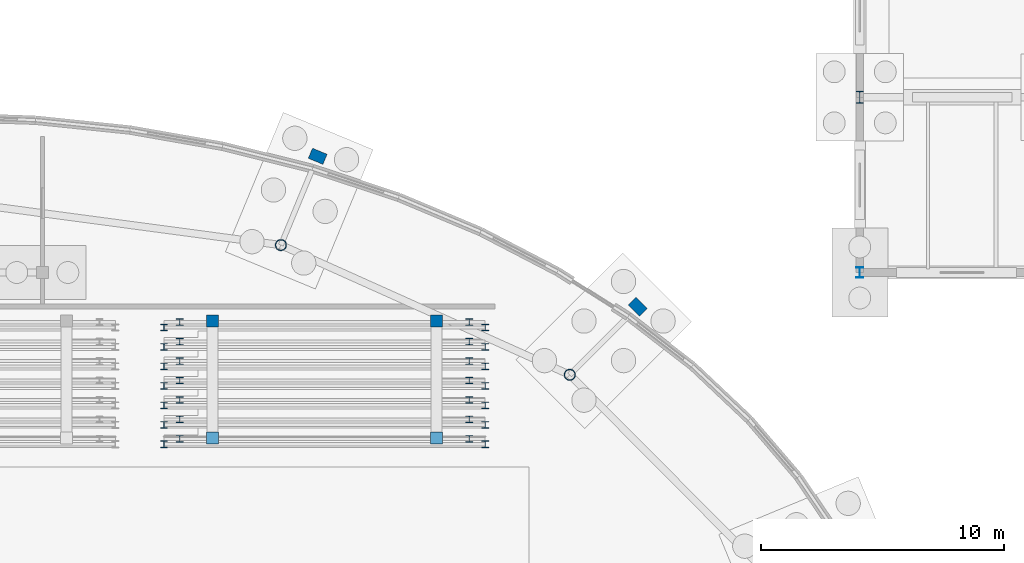
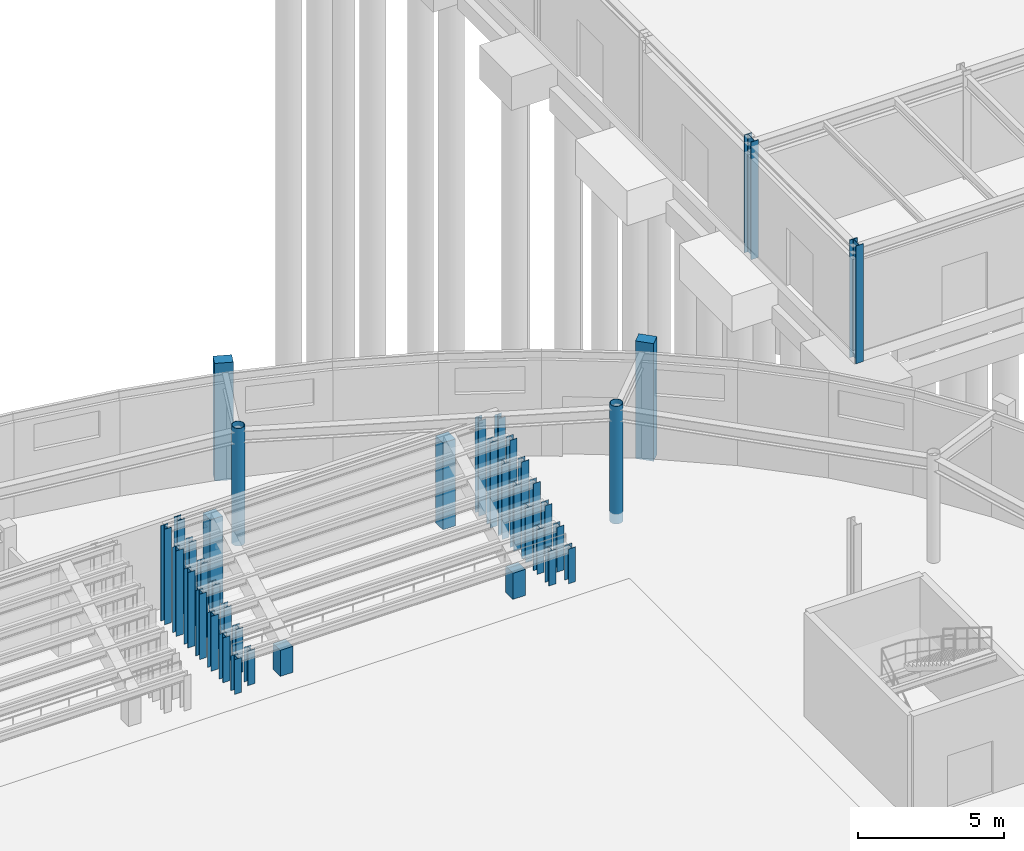
# One storey, part 23 of 93: 38 columns.
"""IFC4 building model written with IfcOpenShell, lengths in metres."""

from ifc_helpers import new_model, si_unit, derived_unit, direction, frame, origin, origin_2d, place, context, subcontext, project, spatial, rectangle, hollow_circle, i_section, extrude, material, material_profile, profile_set, type_object, element, save


model = new_model("IFC4")

# Units and contexts
model_context = context("Model", 3, precision=1e-05, world=origin(), true_north=direction((0.0, 1.0)))
body_context = subcontext(model_context, "Body", "Model", "MODEL_VIEW")
ifc_project = project(units=[si_unit("LENGTHUNIT", "METRE"), si_unit("AREAUNIT", "SQUARE_METRE"), si_unit("VOLUMEUNIT", "CUBIC_METRE"), si_unit("PLANEANGLEUNIT", "RADIAN"), si_unit("MASSUNIT", "GRAM", prefix="KILO"), derived_unit("THERMALTRANSMITTANCEUNIT", [(si_unit("MASSUNIT", "GRAM", prefix="KILO"), 1), (si_unit("TIMEUNIT", "SECOND"), -3), (si_unit("THERMODYNAMICTEMPERATUREUNIT", "KELVIN"), -1)])], contexts=[model_context])

# Site, building, storey
site_placement = place(None, origin())
site = spatial("IfcSite", under=ifc_project, at=site_placement, CompositionType="ELEMENT")
building_placement = place(site_placement, origin())
building = spatial("IfcBuilding", under=site, at=building_placement, Name="Kharveza Railside Sports Centre", CompositionType="ELEMENT")
storey_placement = place(building_placement, origin())
storey = spatial("IfcBuildingStorey", under=building, at=storey_placement, Name="L00", CompositionType="ELEMENT", Elevation=0.0)

# Columns
ifc_material_1 = material(Name="Concrete C35/45", Category="concrete")
ifc_material_profile_1 = material_profile(ifc_material_1, rectangle(XDim=0.5, YDim=0.5, at=origin_2d()), Name="RC 500x500")
ifc_profile_set_1 = profile_set([ifc_material_profile_1], Name="Concrete C35/45")
column_type_1 = type_object("IfcColumnType", Name="COL-RC03", PredefinedType="COLUMN", material=ifc_profile_set_1)
column_1_placement = place(storey_placement, frame((65.800048828125, 70.0, 0.0), z_axis=(0.0, 0.0, 1.0), x_axis=(1.0, 0.0, 0.0)))
element("IfcColumn", 1, at=column_1_placement, inside=storey, type_object=column_type_1, Name="COL-RAK-NR-05", PredefinedType="COLUMN", context=body_context, shape_type="SweptSolid", body=[
    extrude(rectangle(XDim=0.5, YDim=0.5, at=origin_2d()), origin(), (0.0, 0.0, 1.0), 3.6298828125),
])
column_2_placement = place(storey_placement, frame((65.800048828125, 65.199951171875, 0.0), z_axis=(0.0, 0.0, 1.0), x_axis=(1.0, 0.0, 0.0)))
element("IfcColumn", 2, at=column_2_placement, inside=storey, type_object=column_type_1, Name="COL-RAK-NF-05", PredefinedType="COLUMN", context=body_context, shape_type="SweptSolid", body=[
    extrude(rectangle(XDim=0.5, YDim=0.5, at=origin_2d()), origin(), (0.0, 0.0, 1.0), 1.090087890625),
])
column_3_placement = place(storey_placement, frame((75.0, 70.0, 0.0), z_axis=(0.0, 0.0, 1.0), x_axis=(1.0, 0.0, 0.0)))
element("IfcColumn", 3, at=column_3_placement, inside=storey, type_object=column_type_1, Name="COL-RAK-NR-06", PredefinedType="COLUMN", context=body_context, shape_type="SweptSolid", body=[
    extrude(rectangle(XDim=0.5, YDim=0.5, at=origin_2d()), origin(), (0.0, 0.0, 1.0), 3.6298828125),
])
column_4_placement = place(storey_placement, frame((75.0, 65.199951171875, 0.0), z_axis=(0.0, 0.0, 1.0), x_axis=(1.0, 0.0, 0.0)))
element("IfcColumn", 4, at=column_4_placement, inside=storey, type_object=column_type_1, Name="COL-RAK-NF-06", PredefinedType="COLUMN", context=body_context, shape_type="SweptSolid", body=[
    extrude(rectangle(XDim=0.5, YDim=0.5, at=origin_2d()), origin(), (0.0, 0.0, 1.0), 1.090087890625),
])
ifc_material_profile_2 = material_profile(ifc_material_1, rectangle(XDim=0.449951171875, YDim=0.64990234375, at=origin_2d()), Name="RC 450x650")
ifc_profile_set_2 = profile_set([ifc_material_profile_2], Name="Concrete C35/45")
column_type_2 = type_object("IfcColumnType", Name="COL-RC04", PredefinedType="PILASTER", material=ifc_profile_set_2)
for number, where, z_axis, x_axis, name in (
    (5, (83.273193359375, 70.587890625, -0.419921875), (0.0, 0.0, 1.0), (0.707106781187, 0.707106781187, 0.0), "COL-BUTT-03-L00"),
    (6, (70.117919921875, 76.77685546875, -0.419921875), (0.0, 0.0, 1.0), (0.382683432365, 0.923879532511, 0.0), "COL-BUTT-04-L00"),
):
    element("IfcColumn", number, at=place(storey_placement, frame(where, z_axis=z_axis, x_axis=x_axis)), inside=storey, type_object=column_type_2, Name=name, PredefinedType="PILASTER", context=body_context, shape_type="SweptSolid", body=[
        extrude(rectangle(XDim=0.449951171875, YDim=0.64990234375, at=origin_2d()), origin(), (0.0, 0.0, 1.0), 4.919921875),
    ])
ifc_material_2 = material(Name="Steel S355J2", Category="steel")
ifc_material_profile_3 = material_profile(ifc_material_2, i_section(OverallWidth=0.300048828125, OverallDepth=0.5, WebThickness=0.014404296875, FlangeThickness=0.028076171875, FilletRadius=0.027099609375, at=origin_2d()), Name="HEB 500")
ifc_profile_set_3 = profile_set([ifc_material_profile_3], Name="Steel S355J2")
column_type_3 = type_object("IfcColumnType", Name="COL-S03", PredefinedType="COLUMN", material=ifc_profile_set_3)
column_5_placement = place(storey_placement, frame((92.39990234375, 79.199951171875, -0.419921875), z_axis=(0.0, 0.0, 1.0), x_axis=(1.0, 0.0, 0.0)))
element("IfcColumn", 7, at=column_5_placement, inside=storey, type_object=column_type_3, Name="COL-G-C03-X924-Y792-L00", PredefinedType="COLUMN", context=body_context, shape_type="SweptSolid", body=[
    extrude(i_section(OverallWidth=0.300048828125, OverallDepth=0.5, WebThickness=0.014404296875, FlangeThickness=0.028076171875, FilletRadius=0.027099609375, at=origin_2d()), origin(), (0.0, 0.0, 1.0), 4.919921875),
])
ifc_material_profile_4 = material_profile(ifc_material_2, i_section(OverallWidth=0.300048828125, OverallDepth=0.43994140625, WebThickness=0.011474609375, FlangeThickness=0.02099609375, FilletRadius=0.027099609375, at=origin_2d()), Name="HEA 450")
ifc_profile_set_4 = profile_set([ifc_material_profile_4], Name="Steel S355J2")
column_type_4 = type_object("IfcColumnType", Name="COL-S09", PredefinedType="COLUMN", material=ifc_profile_set_4)
column_6_placement = place(storey_placement, frame((92.39990234375, 72.0, -0.419921875), z_axis=(0.0, 0.0, 1.0), x_axis=(1.0, 0.0, 0.0)))
element("IfcColumn", 8, at=column_6_placement, inside=storey, type_object=column_type_4, Name="COL-G-C09-X924-Y720-L00", PredefinedType="COLUMN", context=body_context, shape_type="SweptSolid", body=[
    extrude(i_section(OverallWidth=0.300048828125, OverallDepth=0.43994140625, WebThickness=0.011474609375, FlangeThickness=0.02099609375, FilletRadius=0.027099609375, at=origin_2d()), origin(), (0.0, 0.0, 1.0), 4.919921875),
])
ifc_material_profile_5 = material_profile(ifc_material_2, i_section(OverallWidth=0.280029296875, OverallDepth=0.27001953125, WebThickness=0.008056640625, FlangeThickness=0.012939453125, FilletRadius=0.02392578125, at=origin_2d()), Name="HEA 280")
ifc_profile_set_5 = profile_set([ifc_material_profile_5], Name="Steel S355J2")
column_type_5 = type_object("IfcColumnType", Name="COL-S13", PredefinedType="COLUMN", material=ifc_profile_set_5)
for number, where, z_axis, x_axis, name in (
    (9, (63.800048828125, 69.739990234375, 0.0), (0.0, 0.0, 1.0), (1.0, 0.0, 0.0), "COL-TPST-N01-S3-11"),
    (10, (77.0, 69.739990234375, 0.0), (0.0, 0.0, 1.0), (1.0, 0.0, 0.0), "COL-TPST-N01-S3-12"),
    (11, (64.449951171875, 69.9599609375, 0.0), (0.0, 0.0, 1.0), (1.0, 0.0, 0.0), "COL-TPST-N01-S3-21"),
    (12, (76.35009765625, 69.9599609375, 0.0), (0.0, 0.0, 1.0), (1.0, 0.0, 0.0), "COL-TPST-N01-S3-22"),
):
    element("IfcColumn", number, at=place(storey_placement, frame(where, z_axis=z_axis, x_axis=x_axis)), inside=storey, type_object=column_type_5, Name=name, PredefinedType="COLUMN", context=body_context, shape_type="SweptSolid", body=[
        extrude(i_section(OverallWidth=0.280029296875, OverallDepth=0.27001953125, WebThickness=0.008056640625, FlangeThickness=0.012939453125, FilletRadius=0.02392578125, at=origin_2d()), origin(), (0.0, 0.0, 1.0), 3.989990234375),
    ])
for number, where, z_axis, x_axis, name in (
    (13, (63.800048828125, 68.93994140625, 0.0), (0.0, 0.0, 1.0), (1.0, 0.0, 0.0), "COL-TPST-N02-S3-11"),
    (14, (77.0, 68.93994140625, 0.0), (0.0, 0.0, 1.0), (1.0, 0.0, 0.0), "COL-TPST-N02-S3-12"),
    (15, (64.449951171875, 69.159912109375, 0.0), (0.0, 0.0, 1.0), (1.0, 0.0, 0.0), "COL-TPST-N02-S3-21"),
    (16, (76.35009765625, 69.159912109375, 0.0), (0.0, 0.0, 1.0), (1.0, 0.0, 0.0), "COL-TPST-N02-S3-22"),
):
    element("IfcColumn", number, at=place(storey_placement, frame(where, z_axis=z_axis, x_axis=x_axis)), inside=storey, type_object=column_type_5, Name=name, PredefinedType="COLUMN", context=body_context, shape_type="SweptSolid", body=[
        extrude(i_section(OverallWidth=0.280029296875, OverallDepth=0.27001953125, WebThickness=0.008056640625, FlangeThickness=0.012939453125, FilletRadius=0.02392578125, at=origin_2d()), origin(), (0.0, 0.0, 1.0), 3.570068359375),
    ])
for number, where, z_axis, x_axis, name in (
    (17, (63.800048828125, 68.139892578125, 0.0), (0.0, 0.0, 1.0), (1.0, 0.0, 0.0), "COL-TPST-N03-S3-11"),
    (18, (77.0, 68.139892578125, 0.0), (0.0, 0.0, 1.0), (1.0, 0.0, 0.0), "COL-TPST-N03-S3-12"),
    (19, (64.449951171875, 68.360107421875, 0.0), (0.0, 0.0, 1.0), (1.0, 0.0, 0.0), "COL-TPST-N03-S3-21"),
    (20, (76.35009765625, 68.360107421875, 0.0), (0.0, 0.0, 1.0), (1.0, 0.0, 0.0), "COL-TPST-N03-S3-22"),
):
    element("IfcColumn", number, at=place(storey_placement, frame(where, z_axis=z_axis, x_axis=x_axis)), inside=storey, type_object=column_type_5, Name=name, PredefinedType="COLUMN", context=body_context, shape_type="SweptSolid", body=[
        extrude(i_section(OverallWidth=0.280029296875, OverallDepth=0.27001953125, WebThickness=0.008056640625, FlangeThickness=0.012939453125, FilletRadius=0.02392578125, at=origin_2d()), origin(), (0.0, 0.0, 1.0), 3.14990234375),
    ])
for number, where, z_axis, x_axis, name in (
    (21, (63.800048828125, 67.340087890625, 0.0), (0.0, 0.0, 1.0), (1.0, 0.0, 0.0), "COL-TPST-N04-S3-11"),
    (22, (77.0, 67.340087890625, 0.0), (0.0, 0.0, 1.0), (1.0, 0.0, 0.0), "COL-TPST-N04-S3-12"),
    (23, (64.449951171875, 67.56005859375, 0.0), (0.0, 0.0, 1.0), (1.0, 0.0, 0.0), "COL-TPST-N04-S3-21"),
    (24, (76.35009765625, 67.56005859375, 0.0), (0.0, 0.0, 1.0), (1.0, 0.0, 0.0), "COL-TPST-N04-S3-22"),
):
    element("IfcColumn", number, at=place(storey_placement, frame(where, z_axis=z_axis, x_axis=x_axis)), inside=storey, type_object=column_type_5, Name=name, PredefinedType="COLUMN", context=body_context, shape_type="SweptSolid", body=[
        extrude(i_section(OverallWidth=0.280029296875, OverallDepth=0.27001953125, WebThickness=0.008056640625, FlangeThickness=0.012939453125, FilletRadius=0.02392578125, at=origin_2d()), origin(), (0.0, 0.0, 1.0), 2.72998046875),
    ])
for number, where, z_axis, x_axis, name in (
    (25, (63.800048828125, 66.5400390625, 0.0), (0.0, 0.0, 1.0), (1.0, 0.0, 0.0), "COL-TPST-N05-S3-11"),
    (26, (77.0, 66.5400390625, 0.0), (0.0, 0.0, 1.0), (1.0, 0.0, 0.0), "COL-TPST-N05-S3-12"),
    (27, (64.449951171875, 66.760009765625, 0.0), (0.0, 0.0, 1.0), (1.0, 0.0, 0.0), "COL-TPST-N05-S3-21"),
    (28, (76.35009765625, 66.760009765625, 0.0), (0.0, 0.0, 1.0), (1.0, 0.0, 0.0), "COL-TPST-N05-S3-22"),
):
    element("IfcColumn", number, at=place(storey_placement, frame(where, z_axis=z_axis, x_axis=x_axis)), inside=storey, type_object=column_type_5, Name=name, PredefinedType="COLUMN", context=body_context, shape_type="SweptSolid", body=[
        extrude(i_section(OverallWidth=0.280029296875, OverallDepth=0.27001953125, WebThickness=0.008056640625, FlangeThickness=0.012939453125, FilletRadius=0.02392578125, at=origin_2d()), origin(), (0.0, 0.0, 1.0), 2.2919921875),
    ])
for number, where, z_axis, x_axis, name in (
    (29, (63.800048828125, 65.739990234375, 0.0), (0.0, 0.0, 1.0), (1.0, 0.0, 0.0), "COL-TPST-N06-S3-11"),
    (30, (77.0, 65.739990234375, 0.0), (0.0, 0.0, 1.0), (1.0, 0.0, 0.0), "COL-TPST-N06-S3-12"),
    (31, (64.449951171875, 65.9599609375, 0.0), (0.0, 0.0, 1.0), (1.0, 0.0, 0.0), "COL-TPST-N06-S3-21"),
    (32, (76.35009765625, 65.9599609375, 0.0), (0.0, 0.0, 1.0), (1.0, 0.0, 0.0), "COL-TPST-N06-S3-22"),
):
    element("IfcColumn", number, at=place(storey_placement, frame(where, z_axis=z_axis, x_axis=x_axis)), inside=storey, type_object=column_type_5, Name=name, PredefinedType="COLUMN", context=body_context, shape_type="SweptSolid", body=[
        extrude(i_section(OverallWidth=0.280029296875, OverallDepth=0.27001953125, WebThickness=0.008056640625, FlangeThickness=0.012939453125, FilletRadius=0.02392578125, at=origin_2d()), origin(), (0.0, 0.0, 1.0), 1.8720703125),
    ])
for number, where, z_axis, x_axis, name in (
    (33, (63.800048828125, 64.93994140625, 0.0), (0.0, 0.0, 1.0), (1.0, 0.0, 0.0), "COL-TPST-N07-S3-11"),
    (34, (77.0, 64.93994140625, 0.0), (0.0, 0.0, 1.0), (1.0, 0.0, 0.0), "COL-TPST-N07-S3-12"),
    (35, (64.449951171875, 65.159912109375, 0.0), (0.0, 0.0, 1.0), (1.0, 0.0, 0.0), "COL-TPST-N07-S3-21"),
    (36, (76.35009765625, 65.159912109375, 0.0), (0.0, 0.0, 1.0), (1.0, 0.0, 0.0), "COL-TPST-N07-S3-22"),
):
    element("IfcColumn", number, at=place(storey_placement, frame(where, z_axis=z_axis, x_axis=x_axis)), inside=storey, type_object=column_type_5, Name=name, PredefinedType="COLUMN", context=body_context, shape_type="SweptSolid", body=[
        extrude(i_section(OverallWidth=0.280029296875, OverallDepth=0.27001953125, WebThickness=0.008056640625, FlangeThickness=0.012939453125, FilletRadius=0.02392578125, at=origin_2d()), origin(), (0.0, 0.0, 1.0), 1.451904296875),
    ])
ifc_material_profile_6 = material_profile(ifc_material_2, hollow_circle(Radius=0.228515625, WallThickness=0.02001953125, at=origin_2d()), Name="CHS 457.0x20.0")
ifc_profile_set_6 = profile_set([ifc_material_profile_6], Name="Steel S355J2")
column_type_6 = type_object("IfcColumnType", Name="COL-T01", PredefinedType="COLUMN", material=ifc_profile_set_6)
for number, where, z_axis, x_axis, name in (
    (37, (80.47998046875, 67.794921875, -0.419921875), (0.0, 0.0, 1.0), (1.0, 0.0, 0.0), "COL-DRUM-03-L00"),
    (38, (68.606201171875, 73.12744140625, -0.419921875), (0.0, 0.0, 1.0), (1.0, 0.0, 0.0), "COL-DRUM-04-L00"),
):
    element("IfcColumn", number, at=place(storey_placement, frame(where, z_axis=z_axis, x_axis=x_axis)), inside=storey, type_object=column_type_6, Name=name, PredefinedType="COLUMN", context=body_context, shape_type="SweptSolid", body=[
        extrude(hollow_circle(Radius=0.228515625, WallThickness=0.02001953125, at=origin_2d()), origin(), (0.0, 0.0, 1.0), 4.919921875),
    ])

save(model, "model.ifc")
